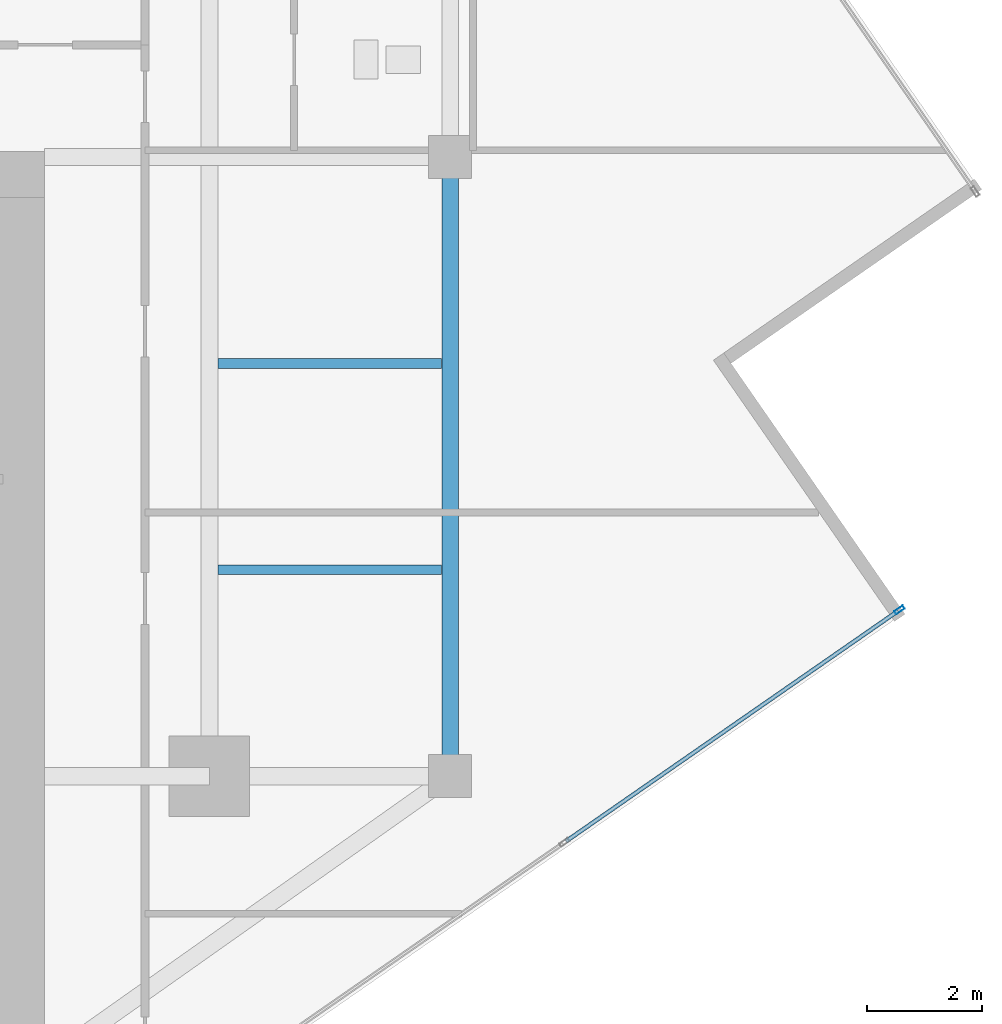
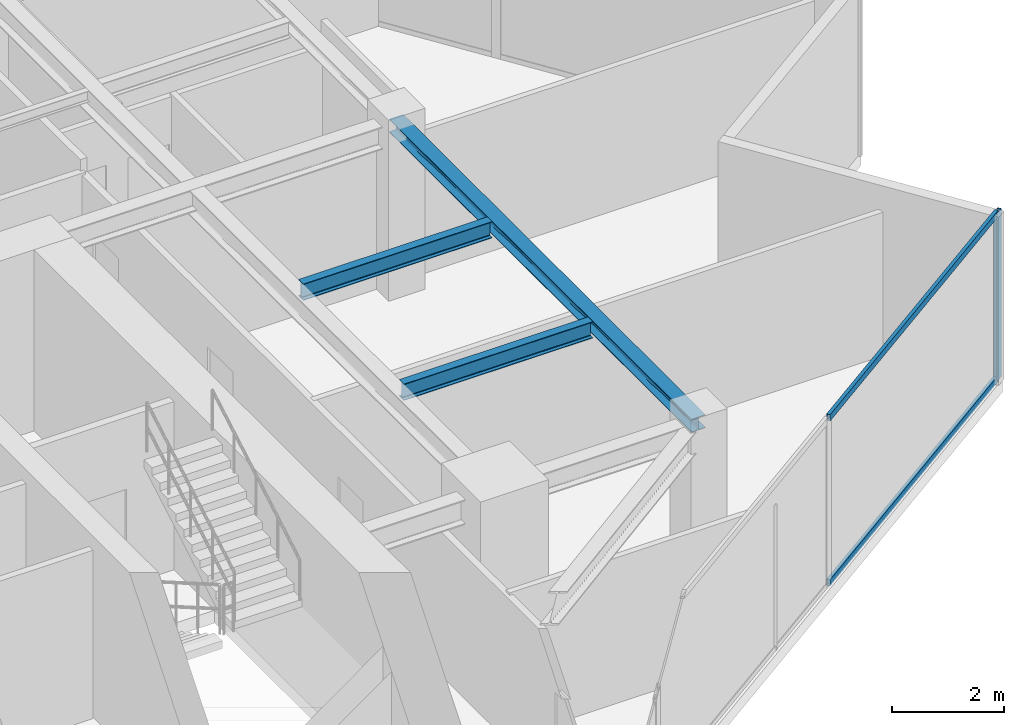
# One storey, part 9 of 21: 3 beams, 3 members, 1 element without a shape of its own.
"""IFC4 building model written with IfcOpenShell, lengths in metres."""

from ifc_helpers import new_model, si_unit, direction, frame, origin, origin_2d, place, context, subcontext, project, spatial, hollow_rectangle, i_section, extrude, source, transform, mapped, material, material_profile, profile_set, type_object, type_shapes, element, aggregate, save


model = new_model("IFC4")

# Units and contexts
model_context = context("Model", 3, precision=1e-05, world=origin(), true_north=direction((0.0, 1.0)))
body_context = subcontext(model_context, "Body", "Model", "MODEL_VIEW")
ifc_project = project(units=[si_unit("LENGTHUNIT", "METRE"), si_unit("AREAUNIT", "SQUARE_METRE"), si_unit("VOLUMEUNIT", "CUBIC_METRE"), si_unit("PLANEANGLEUNIT", "RADIAN"), si_unit("MASSUNIT", "GRAM", prefix="KILO")], contexts=[model_context])

# Site, building, storey
site_placement = place(None, origin())
site = spatial("IfcSite", under=ifc_project, at=site_placement, CompositionType="ELEMENT")
building_placement = place(site_placement, origin())
building = spatial("IfcBuilding", under=site, at=building_placement, Name="Krantzveldt Concourse Tower", CompositionType="ELEMENT")
storey_placement = place(building_placement, frame((0.0, 0.0, 279.25)))
storey = spatial("IfcBuildingStorey", under=building, at=storey_placement, Name="L68", CompositionType="ELEMENT", Elevation=279.25)

# Beams
ifc_material_1 = material(Name="Steel S355JR", Category="steel")
ifc_material_profile_1 = material_profile(ifc_material_1, i_section(OverallWidth=0.2900390625, OverallDepth=0.2900390625, WebThickness=0.008544921875, FlangeThickness=0.013916015625, FilletRadius=0.027099609375, at=origin_2d()), Name="Steel S355JR", Category="steel")
ifc_profile_set_1 = profile_set([ifc_material_profile_1], Name="Steel S355JR - HEA 300")
beam_type_1 = type_object("IfcBeamType", Name="BM-SP-HEA300", PredefinedType="SPANDREL", material=ifc_profile_set_1)
shared_shape_1 = source(origin(), body_context, "Body", "SweptSolid", [
    extrude(i_section(OverallWidth=0.2900390625, OverallDepth=0.2900390625, WebThickness=0.008544921875, FlangeThickness=0.013916015625, FilletRadius=0.027099609375, at=origin_2d()), origin(), (0.0, 0.0, 1.0), 10.800048828125),
])
type_shapes(beam_type_1, [shared_shape_1])
beam_placement = place(storey_placement, frame((51.0, 26.699951171875, 3.52490234375), z_axis=(0.0, -1.0, 0.0), x_axis=(1.0, 0.0, 0.0)))
element("IfcBeam", 1, at=beam_placement, inside=storey, type_object=beam_type_1, Name="L68 Tower Girder SP-R07", PredefinedType="SPANDREL", context=body_context, shape_type="MappedRepresentation", body=[
    mapped(shared_shape_1, transform((0.0, 0.0, 0.0), x_axis=(1.0, 0.0, 0.0), y_axis=(0.0, 1.0, 0.0), z_axis=(0.0, 0.0, 1.0), scale=1.0)),
])
ifc_material_profile_2 = material_profile(ifc_material_1, i_section(OverallWidth=0.169921875, OverallDepth=0.360107421875, WebThickness=0.008056640625, FlangeThickness=0.0126953125, FilletRadius=0.01806640625, at=origin_2d()), Name="Steel S355JR", Category="steel")
ifc_profile_set_2 = profile_set([ifc_material_profile_2], Name="Steel S355JR - IPE 360")
beam_type_2 = type_object("IfcBeamType", Name="BM-J-IPE360", PredefinedType="JOIST", material=ifc_profile_set_2)
shared_shape_2 = source(origin(), body_context, "Body", "SweptSolid", [
    extrude(i_section(OverallWidth=0.169921875, OverallDepth=0.360107421875, WebThickness=0.008056640625, FlangeThickness=0.0126953125, FilletRadius=0.01806640625, at=origin_2d()), origin(), (0.0, 0.0, 1.0), 3.900146484375),
])
type_shapes(beam_type_2, [shared_shape_2])
for number, where, z_axis, x_axis, name in (
    (2, (46.949951171875, 19.5, 3.489990234375), (1.0, 0.0, 0.0), (0.0, 1.0, 0.0), "L68 Secondary Floor Joist JE-1"),
    (3, (46.949951171875, 23.10009765625, 3.489990234375), (1.0, 0.0, 0.0), (0.0, 1.0, 0.0), "L68 Secondary Floor Joist JE-2"),
):
    element("IfcBeam", number, at=place(storey_placement, frame(where, z_axis=z_axis, x_axis=x_axis)), inside=storey, type_object=beam_type_2, Name=name, PredefinedType="JOIST", context=body_context, shape_type="MappedRepresentation", body=[
        mapped(shared_shape_2, transform((0.0, 0.0, 0.0), x_axis=(1.0, 0.0, 0.0), y_axis=(0.0, 1.0, 0.0), z_axis=(0.0, 0.0, 1.0), scale=1.0)),
    ])

# Curtain wall, members
ifc_material_2 = material(Name="Anodised aluminium 6063-T6", Category="aluminium")
curtain_wall_type = type_object("IfcCurtainWallType", Name="CW4", PredefinedType="USERDEFINED", material=ifc_material_2)
curtain_wall_placement = place(storey_placement, origin())
curtain_wall = element("IfcCurtainWall", 4, at=curtain_wall_placement, inside=storey, type_object=curtain_wall_type, Name="CW-L68-F11", ObjectType="UNITISED CURTAIN WALL", PredefinedType="USERDEFINED")
ifc_material_profile_3 = material_profile(ifc_material_2, hollow_rectangle(XDim=0.070068359375, YDim=0.179931640625, WallThickness=0.0048828125, at=origin_2d()), Name="Anodised aluminium 6063-T6", Category="aluminium")
ifc_profile_set_3 = profile_set([ifc_material_profile_3], Name="Anodised aluminium 6063-T6 - ALU-MULL 180x70x5")
member_type_1 = type_object("IfcMemberType", Name="CW-MUL-180", PredefinedType="MULLION", material=ifc_profile_set_3)
shared_shape_3 = source(origin(), body_context, "Body", "SweptSolid", [
    extrude(hollow_rectangle(XDim=0.070068359375, YDim=0.179931640625, WallThickness=0.0048828125, at=origin_2d()), origin(), (0.0, 0.0, 1.0), 3.669921875),
])
type_shapes(member_type_1, [shared_shape_3])
member_1_placement = place(storey_placement, frame((58.841552734375, 18.80078125, 0.0), z_axis=(0.0, 0.0, 1.0), x_axis=(-0.569996627395, 0.821647031735, 0.0)))
member_1 = element("IfcMember", 5, at=member_1_placement, type_object=member_type_1, Name="CW-Z56 mullion 5", PredefinedType="MULLION", context=body_context, shape_type="MappedRepresentation", body=[
    mapped(shared_shape_3, transform((0.0, 0.0, 0.0), x_axis=(1.0, 0.0, 0.0), y_axis=(0.0, 1.0, 0.0), z_axis=(0.0, 0.0, 1.0), scale=1.0)),
])
ifc_material_profile_4 = material_profile(ifc_material_2, hollow_rectangle(XDim=0.070068359375, YDim=0.139892578125, WallThickness=0.0048828125, at=origin_2d()), Name="Anodised aluminium 6063-T6", Category="aluminium")
ifc_profile_set_4 = profile_set([ifc_material_profile_4], Name="Anodised aluminium 6063-T6 - ALU-TRAN 140x70x5")
member_type_2 = type_object("IfcMemberType", Name="CW-TRN-150", PredefinedType="USERDEFINED", material=ifc_profile_set_4)
shared_shape_4 = source(origin(), body_context, "Body", "SweptSolid", [
    extrude(hollow_rectangle(XDim=0.070068359375, YDim=0.139892578125, WallThickness=0.0048828125, at=origin_2d()), origin(), (0.0, 0.0, 1.0), 7.045166015625),
])
type_shapes(member_type_2, [shared_shape_4])
member_2_placement = place(storey_placement, frame((53.024169921875, 14.76513671875, 0.034912109375), z_axis=(0.821650382926, 0.569991796641, 0.0), x_axis=(-0.569991796641, 0.821650382926, 0.0)))
member_2 = element("IfcMember", 6, at=member_2_placement, type_object=member_type_2, Name="CW-Z56 transom 4.1", ObjectType="TRANSOM", PredefinedType="USERDEFINED", context=body_context, shape_type="MappedRepresentation", body=[
    mapped(shared_shape_4, transform((0.0, 0.0, 0.0), x_axis=(1.0, 0.0, 0.0), y_axis=(0.0, 1.0, 0.0), z_axis=(0.0, 0.0, 1.0), scale=1.0)),
])
member_3_placement = place(storey_placement, frame((53.024169921875, 14.76513671875, 3.635009765625), z_axis=(0.821650382926, 0.569991796641, 0.0), x_axis=(-0.569991796641, 0.821650382926, 0.0)))
member_3 = element("IfcMember", 7, at=member_3_placement, type_object=member_type_2, Name="CW-Z56 transom 4.2", ObjectType="TRANSOM", PredefinedType="USERDEFINED", context=body_context, shape_type="MappedRepresentation", body=[
    mapped(shared_shape_4, transform((0.0, 0.0, 0.0), x_axis=(1.0, 0.0, 0.0), y_axis=(0.0, 1.0, 0.0), z_axis=(0.0, 0.0, 1.0), scale=1.0)),
])
aggregate(curtain_wall, [member_1, member_2, member_3])

save(model, "model.ifc")
